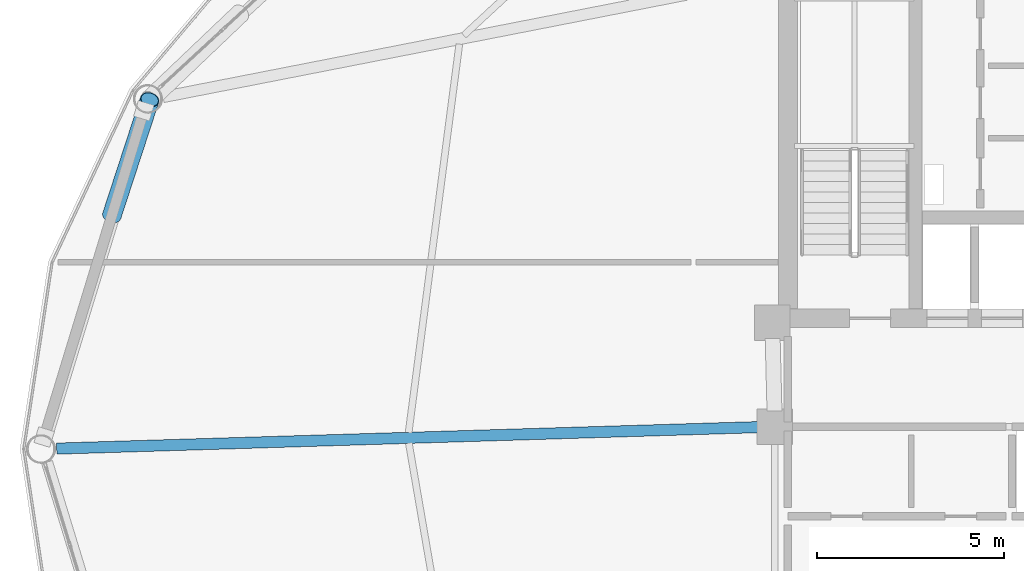
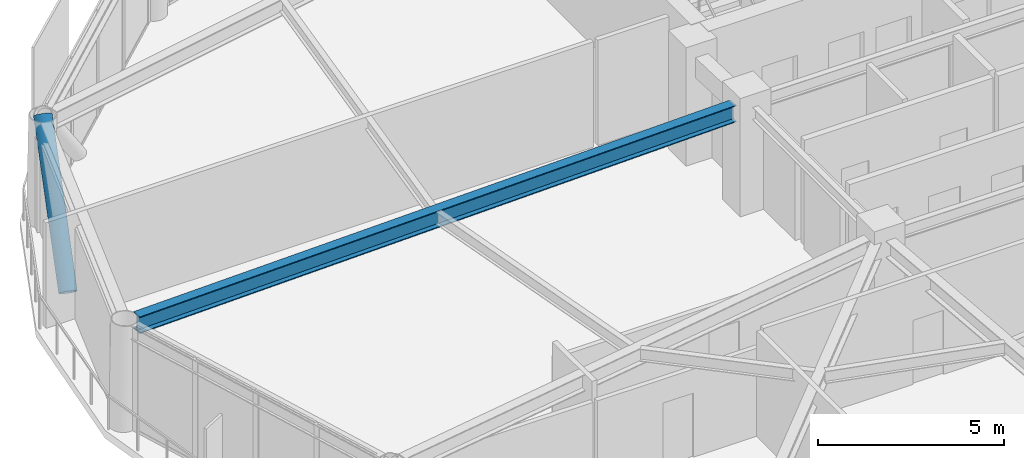
# One storey, part 11 of 26: 1 beam, 1 member.
"""IFC4 building model written with IfcOpenShell, lengths in metres."""

from ifc_helpers import new_model, si_unit, direction, frame, origin, origin_2d, place, context, subcontext, project, spatial, hollow_circle, i_section, extrude, material, material_profile, profile_set, type_object, element, save


model = new_model("IFC4")

# Units and contexts
model_context = context("Model", 3, precision=1e-05, world=origin(), true_north=direction((0.0, 1.0)))
body_context = subcontext(model_context, "Body", "Model", "MODEL_VIEW")
ifc_project = project(units=[si_unit("LENGTHUNIT", "METRE"), si_unit("AREAUNIT", "SQUARE_METRE"), si_unit("VOLUMEUNIT", "CUBIC_METRE"), si_unit("PLANEANGLEUNIT", "RADIAN"), si_unit("MASSUNIT", "GRAM", prefix="KILO")], contexts=[model_context])

# Site, building, storey
site_placement = place(None, origin())
site = spatial("IfcSite", under=ifc_project, at=site_placement, CompositionType="ELEMENT")
building_placement = place(site_placement, origin())
building = spatial("IfcBuilding", under=site, at=building_placement, Name="Varnakorn Sky Granary", CompositionType="ELEMENT")
storey_placement = place(building_placement, frame((0.0, 0.0, 165.60009765625)))
storey = spatial("IfcBuildingStorey", under=building, at=storey_placement, Name="L41", CompositionType="ELEMENT", Elevation=165.60009765625)

# Beam
ifc_material_1 = material(Name="Steel S355JR", Category="steel")
ifc_material_profile_1 = material_profile(ifc_material_1, i_section(OverallWidth=0.300048828125, OverallDepth=0.550048828125, WebThickness=0.014892578125, FlangeThickness=0.029052734375, at=origin_2d()), Name="HE 550 B")
ifc_profile_set_1 = profile_set([ifc_material_profile_1], Name="Steel S355JR")
beam_type = type_object("IfcBeamType", Name="BM-RAD-Z3", PredefinedType="BEAM", material=ifc_profile_set_1)
beam_placement = place(storey_placement, frame((-2.769775390625, 0.587158203125, 3.1748046875), z_axis=(-0.999531814766, -0.030596589212, 0.0), x_axis=(0.030596589212, -0.999531814766, 0.0)))
element("IfcBeam", 1, at=beam_placement, inside=storey, type_object=beam_type, Name="Radial Floor Girder RG07 L41", PredefinedType="BEAM", context=body_context, shape_type="SweptSolid", body=[
    extrude(i_section(OverallWidth=0.300048828125, OverallDepth=0.550048828125, WebThickness=0.014892578125, FlangeThickness=0.029052734375, at=origin_2d()), origin(), (0.0, 0.0, 1.0), 18.8232421875),
])

# Member
ifc_material_2 = material(Name="Steel S460M", Category="steel")
ifc_material_profile_2 = material_profile(ifc_material_2, hollow_circle(Radius=0.25390625, WallThickness=0.01806640625, at=origin_2d()), Name="CHS 508x18")
ifc_profile_set_2 = profile_set([ifc_material_profile_2], Name="Steel S460M")
member_type = type_object("IfcMemberType", Name="MB-DIAG-T2", PredefinedType="BRACE", material=ifc_profile_set_2)
member_placement = place(storey_placement, frame((-20.1064453125, 6.25439453125, -0.130126953125), z_axis=(0.209127198069, 0.640483539146, 0.738949694574), x_axis=(-0.950609960255, 0.310387988596, 0.0)))
element("IfcMember", 2, at=member_placement, inside=storey, type_object=member_type, Name="Perimeter CHS Diagrid Brace DG06 L41", PredefinedType="BRACE", context=body_context, shape_type="SweptSolid", body=[
    extrude(hollow_circle(Radius=0.25390625, WallThickness=0.01806640625, at=origin_2d()), origin(), (0.0, 0.0, 1.0), 4.8447265625),
])

save(model, "model.ifc")
